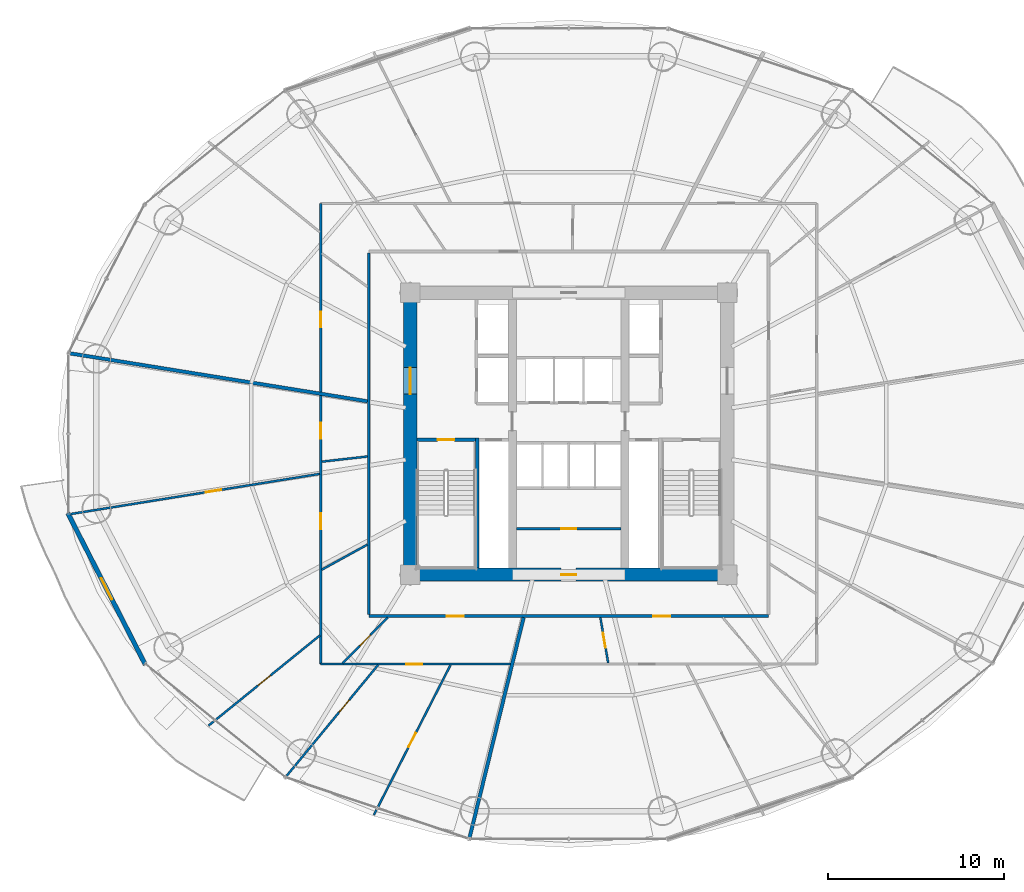
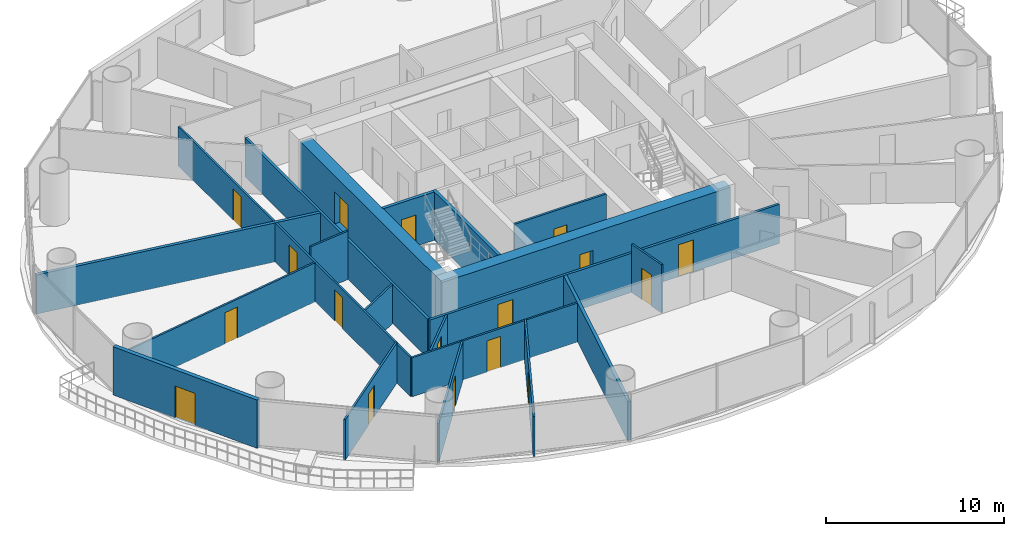
# One storey, part 23 of 30: 21 walls, 17 doors, 17 openings.
"""IFC4 building model written with IfcOpenShell, lengths in metres."""

from ifc_helpers import new_model, si_unit, direction, frame, frame_2d, origin, place, context, subcontext, project, spatial, rectangle, extrude, source, transform, mapped, material, layer, layer_set, type_object, element, fill, save


model = new_model("IFC4")

# Units and contexts
model_context = context("Model", 3, precision=1e-05, world=origin(), true_north=direction((-0.2419218956, 0.970295726276)))
body_context = subcontext(model_context, "Body", "Model", "MODEL_VIEW")
ifc_project = project(units=[si_unit("LENGTHUNIT", "METRE"), si_unit("AREAUNIT", "SQUARE_METRE"), si_unit("VOLUMEUNIT", "CUBIC_METRE"), si_unit("PLANEANGLEUNIT", "RADIAN"), si_unit("MASSUNIT", "GRAM", prefix="KILO")], contexts=[model_context])

# Site, building, storey
site_placement = place(None, origin())
site = spatial("IfcSite", under=ifc_project, at=site_placement, CompositionType="ELEMENT")
building_placement = place(site_placement, origin())
building = spatial("IfcBuilding", under=site, at=building_placement, Name="Cobrevalo Terracotta Tower", CompositionType="ELEMENT")
storey_placement = place(building_placement, frame((0.0, 0.0, 31.199951171875)))
storey = spatial("IfcBuildingStorey", under=building, at=storey_placement, Name="L07", CompositionType="ELEMENT", Elevation=31.199951171875)

# Wall, opening, door
ifc_material_1 = material(Name="Concrete C60", Category="concrete")
ifc_layer_1 = layer(ifc_material_1, 0.75)
ifc_layer_set_1 = layer_set([ifc_layer_1], Name="Concrete C60")
wall_type_1 = type_object("IfcWallType", Name="Core shear wall 750 mm Concrete C60", PredefinedType="SHEAR", material=ifc_layer_set_1)
wall_1_placement = place(storey_placement, frame((28.625, 18.800048828125, 0.0), z_axis=(0.0, 0.0, 1.0), x_axis=(1.0, 0.0, 0.0)))
wall_1 = element("IfcWall", 1, at=wall_1_placement, inside=storey, type_object=wall_type_1, Name="L07 south core shear wall", PredefinedType="SHEAR", context=body_context, shape_type="SweptSolid", body=[
    extrude(rectangle(XDim=18.75, YDim=0.75, at=frame_2d((9.375, 0.0))), origin(), (0.0, 0.0, 1.0), 3.320068359375),
])
opening_1_placement = place(wall_1_placement, frame((8.949951171875, 0.0, 0.0)))
opening_1 = element("IfcOpeningElement", 2, at=opening_1_placement, cuts=wall_1, Name="Opening ID-22", PredefinedType="OPENING", context=body_context, shape_type="SweptSolid", body=[
    extrude(rectangle(XDim=0.85009765625, YDim=2.10009765625, at=frame_2d((0.425048828125, 1.050048828125))), frame((0.0, 0.385009765625, 0.0), z_axis=(0.0, -1.0, 0.0), x_axis=(1.0, 0.0, 0.0)), (0.0, 0.0, 1.0), 0.77001953125),
])
ifc_material_2 = material(Name="Powder-coated steel", Category="steel")
door_type_1 = type_object("IfcDoorType", Name="Riser shaft & meter closet fire access door 850x2100 EI 60", OperationType="NOTDEFINED", PredefinedType="DOOR", material=ifc_material_2)
shared_shape_1 = source(origin(), body_context, "Body", "SweptSolid", [
    extrude(rectangle(XDim=0.85009765625, YDim=2.10009765625, at=frame_2d((0.425048828125, 1.050048828125))), frame((0.0, 0.02490234375, 0.0), z_axis=(0.0, -1.0, 0.0), x_axis=(1.0, 0.0, 0.0)), (0.0, 0.0, 1.0), 0.050048828125),
])
door_1_placement = place(opening_1_placement, origin())
door_1 = element("IfcDoor", 3, at=door_1_placement, inside=storey, type_object=door_type_1, Name="L07 core south plant door Smoke Extract Fan Plant", OperationType="SINGLE_SWING_RIGHT", OverallHeight=2.10009765625, OverallWidth=0.85009765625, PredefinedType="DOOR", context=body_context, shape_type="MappedRepresentation", body=[
    mapped(shared_shape_1, transform((0.0, 0.0, 0.0), scale=1.0)),
])
fill(opening_1, door_1)

wall_2_placement = place(storey_placement, frame((29.0, 19.175048828125, 0.0), z_axis=(0.0, 0.0, 1.0), x_axis=(0.0, 1.0, 0.0)))
wall_2 = element("IfcWall", 4, at=wall_2_placement, inside=storey, type_object=wall_type_1, Name="L07 west core shear wall", PredefinedType="SHEAR", context=body_context, shape_type="SweptSolid", body=[
    extrude(rectangle(XDim=15.25, YDim=0.75, at=frame_2d((7.625, 0.0))), origin(), (0.0, 0.0, 1.0), 3.320068359375),
])
opening_2_placement = place(wall_2_placement, frame((9.875, 0.0, 0.0)))
opening_2 = element("IfcOpeningElement", 5, at=opening_2_placement, cuts=wall_2, Name="Opening ID-14", PredefinedType="OPENING", context=body_context, shape_type="SweptSolid", body=[
    extrude(rectangle(XDim=1.5, YDim=2.199951171875, at=frame_2d((0.75, 1.10009765625))), frame((0.0, 0.385009765625, 0.0), z_axis=(0.0, -1.0, 0.0), x_axis=(1.0, 0.0, 0.0)), (0.0, 0.0, 1.0), 0.77001953125),
])
ifc_material_3 = material(Name="Galvanized fire-rated steel", Category="steel")
door_type_2 = type_object("IfcDoorType", Name="Core cross-lobby double fire door 1500x2200 EI 90", OperationType="NOTDEFINED", PredefinedType="DOOR", material=ifc_material_3)
shared_shape_2 = source(origin(), body_context, "Body", "SweptSolid", [
    extrude(rectangle(XDim=1.5, YDim=2.199951171875, at=frame_2d((0.75, 1.10009765625))), frame((0.0, 0.02490234375, 0.0), z_axis=(0.0, -1.0, 0.0), x_axis=(1.0, 0.0, 0.0)), (0.0, 0.0, 1.0), 0.050048828125),
])
door_2_placement = place(opening_2_placement, origin())
door_2 = element("IfcDoor", 6, at=door_2_placement, inside=storey, type_object=door_type_2, Name="L07 west firefighting lobby entrance door", OperationType="DOUBLE_DOOR_SINGLE_SWING", OverallHeight=2.199951171875, OverallWidth=1.5, PredefinedType="DOOR", context=body_context, shape_type="MappedRepresentation", body=[
    mapped(shared_shape_2, transform((0.0, 0.0, 0.0), scale=1.0)),
])
fill(opening_2, door_2)

# Wall, openings, doors
ifc_material_4 = material(Name="Gypsum board on steel stud", Category="steel")
ifc_layer_2 = layer(ifc_material_4, 0.159912109375)
ifc_layer_set_2 = layer_set([ifc_layer_2], Name="Gypsum board on steel stud")
wall_type_2 = type_object("IfcWallType", Name="Fire-rated corridor acoustic partition wall 160 mm", PredefinedType="PARTITIONING", material=ifc_layer_set_2)
wall_3_placement = place(storey_placement, frame((26.64501953125, 16.445068359375, 0.0), z_axis=(0.0, 0.0, 1.0), x_axis=(1.0, 0.0, 0.0)))
wall_3 = element("IfcWall", 7, at=wall_3_placement, inside=storey, type_object=wall_type_2, Name="L07 interior partition IW-L07-COR-S", PredefinedType="PARTITIONING", context=body_context, shape_type="SweptSolid", body=[
    extrude(rectangle(XDim=22.7099609375, YDim=0.159912109375, at=frame_2d((11.35498046875, 0.0))), origin(), (0.0, 0.0, 1.0), 2.68798828125),
])
opening_3_placement = place(wall_3_placement, frame((4.4208984375, 0.0, 0.0)))
opening_3 = element("IfcOpeningElement", 8, at=opening_3_placement, cuts=wall_3, Name="Opening ID-05", PredefinedType="OPENING", context=body_context, shape_type="SweptSolid", body=[
    extrude(rectangle(XDim=0.97998046875, YDim=2.199951171875, at=frame_2d((0.489990234375, 1.10009765625))), frame((0.0, 0.08984375, 0.0), z_axis=(0.0, -1.0, 0.0), x_axis=(1.0, 0.0, 0.0)), (0.0, 0.0, 1.0), 0.179931640625),
])
opening_4_placement = place(wall_3_placement, frame((16.152587890625, 0.0, 0.0)))
opening_4 = element("IfcOpeningElement", 9, at=opening_4_placement, cuts=wall_3, Name="Opening ID-05", PredefinedType="OPENING", context=body_context, shape_type="SweptSolid", body=[
    extrude(rectangle(XDim=0.97998046875, YDim=2.199951171875, at=frame_2d((0.489990234375, 1.10009765625))), frame((0.0, 0.08984375, 0.0), z_axis=(0.0, -1.0, 0.0), x_axis=(1.0, 0.0, 0.0)), (0.0, 0.0, 1.0), 0.179931640625),
])
ifc_material_5 = material(Name="Solid hardwood timber", Category="wood")
door_type_3 = type_object("IfcDoorType", Name="Residence entrance fire-rated acoustic timber door 980x2200 EI 60", OperationType="NOTDEFINED", PredefinedType="DOOR", material=ifc_material_5)
shared_shape_3 = source(origin(), body_context, "Body", "SweptSolid", [
    extrude(rectangle(XDim=0.97998046875, YDim=2.199951171875, at=frame_2d((0.489990234375, 1.10009765625))), frame((0.0, 0.02490234375, 0.0), z_axis=(0.0, -1.0, 0.0), x_axis=(1.0, 0.0, 0.0)), (0.0, 0.0, 1.0), 0.050048828125),
])
door_3_placement = place(opening_3_placement, frame((0.97998046875, 0.0, 0.0), z_axis=(0.0, 0.0, 1.0), x_axis=(-1.0, 0.0, 0.0)))
door_3 = element("IfcDoor", 10, at=door_3_placement, inside=storey, type_object=door_type_3, Name="Flat L07C fire-rated apartment entrance door", OperationType="SINGLE_SWING_LEFT", OverallHeight=2.199951171875, OverallWidth=0.97998046875, PredefinedType="DOOR", context=body_context, shape_type="MappedRepresentation", body=[
    mapped(shared_shape_3, transform((0.0, 0.0, 0.0), scale=1.0)),
])
fill(opening_3, door_3)
door_4_placement = place(opening_4_placement, frame((0.97998046875, 0.0, 0.0), z_axis=(0.0, 0.0, 1.0), x_axis=(-1.0, 0.0, 0.0)))
door_4 = element("IfcDoor", 11, at=door_4_placement, inside=storey, type_object=door_type_3, Name="Flat L07D fire-rated apartment entrance door", OperationType="SINGLE_SWING_RIGHT", OverallHeight=2.199951171875, OverallWidth=0.97998046875, PredefinedType="DOOR", context=body_context, shape_type="MappedRepresentation", body=[
    mapped(shared_shape_3, transform((0.0, 0.0, 0.0), scale=1.0)),
])
fill(opening_4, door_4)

# Walls
wall_4_placement = place(storey_placement, frame((26.64501953125, 16.52490234375, 0.0), z_axis=(0.0, 0.0, 1.0), x_axis=(0.0, 1.0, 0.0)))
element("IfcWall", 12, at=wall_4_placement, inside=storey, type_object=wall_type_2, Name="L07 interior partition IW-L07-COR-W", PredefinedType="PARTITIONING", context=body_context, shape_type="SweptSolid", body=[
    extrude(rectangle(XDim=20.550048828125, YDim=0.159912109375, at=frame_2d((10.27490234375, 0.0))), origin(), (0.0, 0.0, 1.0), 2.68798828125),
])
ifc_material_6 = material(Name="Autoclaved aerated concrete block", Category="concrete")
ifc_layer_3 = layer(ifc_material_6, 0.199951171875)
ifc_layer_set_3 = layer_set([ifc_layer_3], Name="Autoclaved aerated concrete block")
wall_type_3 = type_object("IfcWallType", Name="Fire-rated stair, shaft & demising masonry wall 200 mm", PredefinedType="PARTITIONING", material=ifc_layer_set_3)
wall_5_placement = place(storey_placement, frame((26.56494140625, 28.64306640625, 0.0), z_axis=(0.0, 0.0, 1.0), x_axis=(-0.987255953651, 0.159140447344, 0.0)))
element("IfcWall", 13, at=wall_5_placement, inside=storey, type_object=wall_type_3, Name="L07 interior partition IW-L07-DEM-3", PredefinedType="PARTITIONING", context=body_context, shape_type="SweptSolid", body=[
    extrude(rectangle(XDim=17.10546875, YDim=0.199951171875, at=frame_2d((8.552734375, 0.0))), origin(), (0.0, 0.0, 1.0), 2.68798828125),
])
wall_6_placement = place(storey_placement, frame((35.4384765625, 16.364990234375, 0.0), z_axis=(0.0, 0.0, 1.0), x_axis=(-0.238380116209, -0.971171931326, 0.0)))
element("IfcWall", 14, at=wall_6_placement, inside=storey, type_object=wall_type_3, Name="L07 interior partition IW-L07-DEM-4", PredefinedType="PARTITIONING", context=body_context, shape_type="SweptSolid", body=[
    extrude(rectangle(XDim=12.876708984375, YDim=0.199951171875, at=frame_2d((6.4384765625, 0.0))), origin(), (0.0, 0.0, 1.0), 2.68798828125),
])

# Wall, opening, door
ifc_layer_4 = layer(ifc_material_6, 0.139892578125)
ifc_layer_set_4 = layer_set([ifc_layer_4], Name="Autoclaved aerated concrete block")
wall_type_4 = type_object("IfcWallType", Name="Moisture-resistant wet-room & core service partition 140 mm", PredefinedType="PARTITIONING", material=ifc_layer_set_4)
wall_7_placement = place(storey_placement, frame((35.02490234375, 21.407470703125, 0.0), z_axis=(0.0, 0.0, 1.0), x_axis=(1.0, 0.0, 0.0)))
wall_7 = element("IfcWall", 15, at=wall_7_placement, inside=storey, type_object=wall_type_4, Name="L07 interior partition IW-L07-KVS-H", PredefinedType="PARTITIONING", context=body_context, shape_type="SweptSolid", body=[
    extrude(rectangle(XDim=5.9501953125, YDim=0.139892578125, at=frame_2d((2.97509765625, 0.0))), origin(), (0.0, 0.0, 1.0), 3.320068359375),
])
opening_5_placement = place(wall_7_placement, frame((2.550048828125, 0.0, 0.0)))
opening_5 = element("IfcOpeningElement", 16, at=opening_5_placement, cuts=wall_7, Name="Opening ID-22", PredefinedType="OPENING", context=body_context, shape_type="SweptSolid", body=[
    extrude(rectangle(XDim=0.85009765625, YDim=2.10009765625, at=frame_2d((0.425048828125, 1.050048828125))), frame((0.0, 0.080078125, 0.0), z_axis=(0.0, -1.0, 0.0), x_axis=(1.0, 0.0, 0.0)), (0.0, 0.0, 1.0), 0.159912109375),
])
door_5_placement = place(opening_5_placement, origin())
door_5 = element("IfcDoor", 17, at=door_5_placement, inside=storey, type_object=door_type_1, Name="L07 core manifold inner door", OperationType="SINGLE_SWING_LEFT", OverallHeight=2.10009765625, OverallWidth=0.85009765625, PredefinedType="DOOR", context=body_context, shape_type="MappedRepresentation", body=[
    mapped(shared_shape_1, transform((0.0, 0.0, 0.0), scale=1.0)),
])
fill(opening_5, door_5)

ifc_layer_5 = layer(ifc_material_6, 0.260009765625)
ifc_layer_set_5 = layer_set([ifc_layer_5], Name="Autoclaved aerated concrete block")
wall_type_5 = type_object("IfcWallType", Name="Recessed balcony loggia insulated exterior wall 260 mm", PredefinedType="SOLIDWALL", material=ifc_layer_set_5)
wall_8_placement = place(storey_placement, frame((9.55029296875, 22.29248046875, 0.0), z_axis=(0.0, 0.0, 1.0), x_axis=(0.455220575541, -0.890378698984, 0.0)))
wall_8 = element("IfcWall", 18, at=wall_8_placement, inside=storey, type_object=wall_type_5, Name="L07 balcony loggia wall S09", PredefinedType="SOLIDWALL", context=body_context, shape_type="SweptSolid", body=[
    extrude(rectangle(XDim=9.662109375, YDim=0.260009765625, at=frame_2d((4.8310546875, 0.0))), origin(), (0.0, 0.0, 1.0), 3.320068359375),
])
opening_6_placement = place(wall_8_placement, frame((4.156005859375, 0.0, 0.0)))
opening_6 = element("IfcOpeningElement", 19, at=opening_6_placement, cuts=wall_8, Name="Opening ED-05", PredefinedType="OPENING", context=body_context, shape_type="SweptSolid", body=[
    extrude(rectangle(XDim=1.35009765625, YDim=2.199951171875, at=frame_2d((0.675048828125, 1.10009765625))), frame((0.0, 0.14013671875, 0.0), z_axis=(0.0, -1.0, 0.0), x_axis=(1.0, 0.0, 0.0)), (0.0, 0.0, 1.0), 0.280029296875),
])
ifc_material_7 = material(Name="Anodized aluminium and laminated glass", Category="aluminium")
door_type_4 = type_object("IfcDoorType", Name="Suite balcony acoustic glazed terrace door 1350x2200", OperationType="NOTDEFINED", PredefinedType="DOOR", material=ifc_material_7)
shared_shape_4 = source(origin(), body_context, "Body", "SweptSolid", [
    extrude(rectangle(XDim=1.35009765625, YDim=2.199951171875, at=frame_2d((0.675048828125, 1.10009765625))), frame((0.0, 0.02490234375, 0.0), z_axis=(0.0, -1.0, 0.0), x_axis=(1.0, 0.0, 0.0)), (0.0, 0.0, 1.0), 0.050048828125),
])
door_6_placement = place(opening_6_placement, frame((1.35009765625, 0.0, 0.0), z_axis=(0.0, 0.0, 1.0), x_axis=(-1.0, 0.0, 0.0)))
door_6 = element("IfcDoor", 20, at=door_6_placement, inside=storey, type_object=door_type_4, Name="L07 glazed balcony terrace door 2", OperationType="SINGLE_SWING_RIGHT", OverallHeight=2.199951171875, OverallWidth=1.35009765625, PredefinedType="DOOR", context=body_context, shape_type="MappedRepresentation", body=[
    mapped(shared_shape_4, transform((0.0, 0.0, 0.0), scale=1.0)),
])
fill(opening_6, door_6)

ifc_layer_6 = layer(ifc_material_4, 0.1201171875)
ifc_layer_set_6 = layer_set([ifc_layer_6], Name="Gypsum board on steel stud")
wall_type_6 = type_object("IfcWallType", Name="Residential internal acoustic stud partition 120 mm", PredefinedType="PARTITIONING", material=ifc_layer_set_6)
wall_9_placement = place(storey_placement, frame((23.9150390625, 29.17236328125, 0.0), z_axis=(0.0, 0.0, 1.0), x_axis=(0.0, 1.0, 0.0)))
wall_9 = element("IfcWall", 21, at=wall_9_placement, inside=storey, type_object=wall_type_6, Name="L07 interior partition IW-L07-U2-RING0_0", PredefinedType="PARTITIONING", context=body_context, shape_type="SweptSolid", body=[
    extrude(rectangle(XDim=10.712646484375, YDim=0.1201171875, at=frame_2d((5.3564453125, 0.0))), origin(), (0.0, 0.0, 1.0), 2.68798828125),
])
opening_7_placement = place(wall_9_placement, frame((3.666259765625, 0.0, 0.0)))
opening_7 = element("IfcOpeningElement", 22, at=opening_7_placement, cuts=wall_9, Name="Opening ID-12", PredefinedType="OPENING", context=body_context, shape_type="SweptSolid", body=[
    extrude(rectangle(XDim=0.89990234375, YDim=2.14990234375, at=frame_2d((0.449951171875, 1.074951171875))), frame((0.0, 0.070068359375, 0.0), z_axis=(0.0, -1.0, 0.0), x_axis=(1.0, 0.0, 0.0)), (0.0, 0.0, 1.0), 0.14013671875),
])
ifc_material_8 = material(Name="Engineered timber", Category="wood")
door_type_5 = type_object("IfcDoorType", Name="Internal residence & suite timber door 900x2150", OperationType="NOTDEFINED", PredefinedType="DOOR", material=ifc_material_8)
shared_shape_5 = source(origin(), body_context, "Body", "SweptSolid", [
    extrude(rectangle(XDim=0.89990234375, YDim=2.14990234375, at=frame_2d((0.449951171875, 1.074951171875))), frame((0.0, 0.02490234375, 0.0), z_axis=(0.0, -1.0, 0.0), x_axis=(1.0, 0.0, 0.0)), (0.0, 0.0, 1.0), 0.050048828125),
])
door_7_placement = place(opening_7_placement, origin())
door_7 = element("IfcDoor", 23, at=door_7_placement, inside=storey, type_object=door_type_5, Name="Flat L07B Penthouse Family Lounge internal door", OperationType="SINGLE_SWING_RIGHT", OverallHeight=2.14990234375, OverallWidth=0.89990234375, PredefinedType="DOOR", context=body_context, shape_type="MappedRepresentation", body=[
    mapped(shared_shape_5, transform((0.0, 0.0, 0.0), scale=1.0)),
])
fill(opening_7, door_7)

wall_10_placement = place(storey_placement, frame((34.68603515625, 13.715087890625, 0.0), z_axis=(0.0, 0.0, 1.0), x_axis=(-1.0, 0.0, 0.0)))
wall_10 = element("IfcWall", 24, at=wall_10_placement, inside=storey, type_object=wall_type_6, Name="L07 interior partition IW-L07-U3-RING0_0", PredefinedType="PARTITIONING", context=body_context, shape_type="SweptSolid", body=[
    extrude(rectangle(XDim=10.77099609375, YDim=0.1201171875, at=frame_2d((5.385498046875, 0.0))), origin(), (0.0, 0.0, 1.0), 2.68798828125),
])
opening_8_placement = place(wall_10_placement, frame((5.010498046875, 0.0, 0.0)))
opening_8 = element("IfcOpeningElement", 25, at=opening_8_placement, cuts=wall_10, Name="Opening ID-12", PredefinedType="OPENING", context=body_context, shape_type="SweptSolid", body=[
    extrude(rectangle(XDim=0.89990234375, YDim=2.14990234375, at=frame_2d((0.449951171875, 1.074951171875))), frame((0.0, 0.070068359375, 0.0), z_axis=(0.0, -1.0, 0.0), x_axis=(1.0, 0.0, 0.0)), (0.0, 0.0, 1.0), 0.14013671875),
])
door_8_placement = place(opening_8_placement, origin())
door_8 = element("IfcDoor", 26, at=door_8_placement, inside=storey, type_object=door_type_5, Name="Flat L07C Penthouse Family Lounge internal door", OperationType="SINGLE_SWING_LEFT", OverallHeight=2.14990234375, OverallWidth=0.89990234375, PredefinedType="DOOR", context=body_context, shape_type="MappedRepresentation", body=[
    mapped(shared_shape_5, transform((0.0, 0.0, 0.0), scale=1.0)),
])
fill(opening_8, door_8)

# Wall, openings, doors
wall_11_placement = place(storey_placement, frame((23.9150390625, 13.715087890625, 0.0), z_axis=(0.0, 0.0, 1.0), x_axis=(0.0, 1.0, 0.0)))
wall_11 = element("IfcWall", 27, at=wall_11_placement, inside=storey, type_object=wall_type_6, Name="L07 interior partition IW-L07-U3-RING1_0", PredefinedType="PARTITIONING", context=body_context, shape_type="SweptSolid", body=[
    extrude(rectangle(XDim=15.253173828125, YDim=0.1201171875, at=frame_2d((7.62646484375, 0.0))), origin(), (0.0, 0.0, 1.0), 2.68798828125),
])
opening_9_placement = place(wall_11_placement, frame((7.66259765625, 0.0, 0.0)))
opening_9 = element("IfcOpeningElement", 28, at=opening_9_placement, cuts=wall_11, Name="Opening ID-12", PredefinedType="OPENING", context=body_context, shape_type="SweptSolid", body=[
    extrude(rectangle(XDim=0.89990234375, YDim=2.14990234375, at=frame_2d((0.449951171875, 1.074951171875))), frame((0.0, 0.070068359375, 0.0), z_axis=(0.0, -1.0, 0.0), x_axis=(1.0, 0.0, 0.0)), (0.0, 0.0, 1.0), 0.14013671875),
])
opening_10_placement = place(wall_11_placement, frame((12.80322265625, 0.0, 0.0)))
opening_10 = element("IfcOpeningElement", 29, at=opening_10_placement, cuts=wall_11, Name="Opening ID-12", PredefinedType="OPENING", context=body_context, shape_type="SweptSolid", body=[
    extrude(rectangle(XDim=0.89990234375, YDim=2.14990234375, at=frame_2d((0.449951171875, 1.074951171875))), frame((0.0, 0.070068359375, 0.0), z_axis=(0.0, -1.0, 0.0), x_axis=(1.0, 0.0, 0.0)), (0.0, 0.0, 1.0), 0.14013671875),
])
door_9_placement = place(opening_9_placement, frame((0.89990234375, 0.0, 0.0), z_axis=(0.0, 0.0, 1.0), x_axis=(-1.0, 0.0, 0.0)))
door_9 = element("IfcDoor", 30, at=door_9_placement, inside=storey, type_object=door_type_5, Name="Flat L07C Kitchen internal door", OperationType="SINGLE_SWING_RIGHT", OverallHeight=2.14990234375, OverallWidth=0.89990234375, PredefinedType="DOOR", context=body_context, shape_type="MappedRepresentation", body=[
    mapped(shared_shape_5, transform((0.0, 0.0, 0.0), scale=1.0)),
])
fill(opening_9, door_9)
door_10_placement = place(opening_10_placement, frame((0.89990234375, 0.0, 0.0), z_axis=(0.0, 0.0, 1.0), x_axis=(-1.0, 0.0, 0.0)))
door_10 = element("IfcDoor", 31, at=door_10_placement, inside=storey, type_object=door_type_5, Name="Flat L07C Home Office Study internal door", OperationType="SINGLE_SWING_LEFT", OverallHeight=2.14990234375, OverallWidth=0.89990234375, PredefinedType="DOOR", context=body_context, shape_type="MappedRepresentation", body=[
    mapped(shared_shape_5, transform((0.0, 0.0, 0.0), scale=1.0)),
])
fill(opening_10, door_10)

# Wall, opening, door
wall_12_placement = place(storey_placement, frame((23.853759765625, 24.519775390625, 0.0), z_axis=(0.0, 0.0, 1.0), x_axis=(-0.987258444847, -0.159124991997, 0.0)))
wall_12 = element("IfcWall", 32, at=wall_12_placement, inside=storey, type_object=wall_type_6, Name="L07 interior partition IW-L07-U3-ORAD0L", PredefinedType="PARTITIONING", context=body_context, shape_type="SweptSolid", body=[
    extrude(rectangle(XDim=14.359130859375, YDim=0.1201171875, at=frame_2d((7.1796875, 0.0))), origin(), (0.0, 0.0, 1.0), 2.68798828125),
])
opening_11_placement = place(wall_12_placement, frame((5.658935546875, 0.0, 0.0)))
opening_11 = element("IfcOpeningElement", 33, at=opening_11_placement, cuts=wall_12, Name="Opening ID-12", PredefinedType="OPENING", context=body_context, shape_type="SweptSolid", body=[
    extrude(rectangle(XDim=0.89990234375, YDim=2.14990234375, at=frame_2d((0.449951171875, 1.074951171875))), frame((0.0, 0.070068359375, 0.0), z_axis=(0.0, -1.0, 0.0), x_axis=(1.0, 0.0, 0.0)), (0.0, 0.0, 1.0), 0.14013671875),
])
door_11_placement = place(opening_11_placement, frame((0.89990234375, 0.0, 0.0), z_axis=(0.0, 0.0, 1.0), x_axis=(-1.0, 0.0, 0.0)))
door_11 = element("IfcDoor", 34, at=door_11_placement, inside=storey, type_object=door_type_5, Name="Flat L07C Penthouse Living and Dining Room internal door", OperationType="SINGLE_SWING_LEFT", OverallHeight=2.14990234375, OverallWidth=0.89990234375, PredefinedType="DOOR", context=body_context, shape_type="MappedRepresentation", body=[
    mapped(shared_shape_5, transform((0.0, 0.0, 0.0), scale=1.0)),
])
fill(opening_11, door_11)

wall_13_placement = place(storey_placement, frame((23.866943359375, 15.34716796875, 0.0), z_axis=(0.0, 0.0, 1.0), x_axis=(-0.776936623447, -0.629578814087, 0.0)))
wall_13 = element("IfcWall", 35, at=wall_13_placement, inside=storey, type_object=wall_type_6, Name="L07 interior partition IW-L07-U3-ORAD1", PredefinedType="PARTITIONING", context=body_context, shape_type="SweptSolid", body=[
    extrude(rectangle(XDim=8.136474609375, YDim=0.1201171875, at=frame_2d((4.068359375, 0.0))), origin(), (0.0, 0.0, 1.0), 2.761962890625),
])
opening_12_placement = place(wall_13_placement, frame((3.618408203125, 0.0, 0.0)))
opening_12 = element("IfcOpeningElement", 36, at=opening_12_placement, cuts=wall_13, Name="Opening ID-12", PredefinedType="OPENING", context=body_context, shape_type="SweptSolid", body=[
    extrude(rectangle(XDim=0.89990234375, YDim=2.14990234375, at=frame_2d((0.449951171875, 1.074951171875))), frame((0.0, 0.070068359375, 0.0), z_axis=(0.0, -1.0, 0.0), x_axis=(1.0, 0.0, 0.0)), (0.0, 0.0, 1.0), 0.14013671875),
])
door_12_placement = place(opening_12_placement, frame((0.89990234375, 0.0, 0.0), z_axis=(0.0, 0.0, 1.0), x_axis=(-1.0, 0.0, 0.0)))
door_12 = element("IfcDoor", 37, at=door_12_placement, inside=storey, type_object=door_type_5, Name="Flat L07C Private Cinema Room internal door", OperationType="SINGLE_SWING_RIGHT", OverallHeight=2.14990234375, OverallWidth=0.89990234375, PredefinedType="DOOR", context=body_context, shape_type="MappedRepresentation", body=[
    mapped(shared_shape_5, transform((0.0, 0.0, 0.0), scale=1.0)),
])
fill(opening_12, door_12)

wall_14_placement = place(storey_placement, frame((27.171142578125, 13.667236328125, 0.0), z_axis=(0.0, 0.0, 1.0), x_axis=(-0.636177533893, -0.771542704826, 0.0)))
wall_14 = element("IfcWall", 38, at=wall_14_placement, inside=storey, type_object=wall_type_6, Name="L07 interior partition IW-L07-U3-ORAD2M1", PredefinedType="PARTITIONING", context=body_context, shape_type="SweptSolid", body=[
    extrude(rectangle(XDim=8.1865234375, YDim=0.1201171875, at=frame_2d((4.09326171875, 0.0))), origin(), (0.0, 0.0, 1.0), 2.68798828125),
])
opening_13_placement = place(wall_14_placement, frame((2.579345703125, 0.0, 0.0)))
opening_13 = element("IfcOpeningElement", 39, at=opening_13_placement, cuts=wall_14, Name="Opening ID-12", PredefinedType="OPENING", context=body_context, shape_type="SweptSolid", body=[
    extrude(rectangle(XDim=0.89990234375, YDim=2.14990234375, at=frame_2d((0.449951171875, 1.074951171875))), frame((0.0, 0.070068359375, 0.0), z_axis=(0.0, -1.0, 0.0), x_axis=(1.0, 0.0, 0.0)), (0.0, 0.0, 1.0), 0.14013671875),
])
door_13_placement = place(opening_13_placement, frame((0.89990234375, 0.0, 0.0), z_axis=(0.0, 0.0, 1.0), x_axis=(-1.0, 0.0, 0.0)))
door_13 = element("IfcDoor", 40, at=door_13_placement, inside=storey, type_object=door_type_5, Name="Flat L07C Master Bedroom internal door", OperationType="SINGLE_SWING_LEFT", OverallHeight=2.14990234375, OverallWidth=0.89990234375, PredefinedType="DOOR", context=body_context, shape_type="MappedRepresentation", body=[
    mapped(shared_shape_5, transform((0.0, 0.0, 0.0), scale=1.0)),
])
fill(opening_13, door_13)

wall_15_placement = place(storey_placement, frame((31.283203125, 13.65966796875, 0.0), z_axis=(0.0, 0.0, 1.0), x_axis=(-0.455131303234, -0.890424335256, 0.0)))
wall_15 = element("IfcWall", 41, at=wall_15_placement, inside=storey, type_object=wall_type_6, Name="L07 interior partition IW-L07-U3-ORAD2M2", PredefinedType="PARTITIONING", context=body_context, shape_type="SweptSolid", body=[
    extrude(rectangle(XDim=9.562255859375, YDim=0.1201171875, at=frame_2d((4.78125, 0.0))), origin(), (0.0, 0.0, 1.0), 2.761962890625),
])
opening_14_placement = place(wall_15_placement, frame((4.3310546875, 0.0, 0.0)))
opening_14 = element("IfcOpeningElement", 42, at=opening_14_placement, cuts=wall_15, Name="Opening ID-12", PredefinedType="OPENING", context=body_context, shape_type="SweptSolid", body=[
    extrude(rectangle(XDim=0.89990234375, YDim=2.14990234375, at=frame_2d((0.449951171875, 1.074951171875))), frame((0.0, 0.070068359375, 0.0), z_axis=(0.0, -1.0, 0.0), x_axis=(1.0, 0.0, 0.0)), (0.0, 0.0, 1.0), 0.14013671875),
])
door_14_placement = place(opening_14_placement, origin())
door_14 = element("IfcDoor", 43, at=door_14_placement, inside=storey, type_object=door_type_5, Name="Flat L07C Penthouse Family Lounge internal door", OperationType="SINGLE_SWING_RIGHT", OverallHeight=2.14990234375, OverallWidth=0.89990234375, PredefinedType="DOOR", context=body_context, shape_type="MappedRepresentation", body=[
    mapped(shared_shape_5, transform((0.0, 0.0, 0.0), scale=1.0)),
])
fill(opening_14, door_14)

# Walls
wall_16_placement = place(storey_placement, frame((26.56494140625, 25.50732421875, 0.0), z_axis=(0.0, 0.0, 1.0), x_axis=(-0.993676271227, -0.112282981789, 0.0)))
element("IfcWall", 44, at=wall_16_placement, inside=storey, type_object=wall_type_6, Name="L07 interior partition IW-L07-U3-IRAD1", PredefinedType="PARTITIONING", context=body_context, shape_type="SweptSolid", body=[
    extrude(rectangle(XDim=2.604736328125, YDim=0.1201171875, at=frame_2d((1.30224609375, 0.0))), origin(), (0.0, 0.0, 1.0), 3.320068359375),
])
wall_17_placement = place(storey_placement, frame((26.56494140625, 20.504638671875, 0.0), z_axis=(0.0, 0.0, 1.0), x_axis=(-0.876027961584, -0.482260314066, 0.0)))
element("IfcWall", 45, at=wall_17_placement, inside=storey, type_object=wall_type_6, Name="L07 interior partition IW-L07-U3-IRAD2", PredefinedType="PARTITIONING", context=body_context, shape_type="SweptSolid", body=[
    extrude(rectangle(XDim=2.963134765625, YDim=0.1201171875, at=frame_2d((1.4814453125, 0.0))), origin(), (0.0, 0.0, 1.0), 2.68798828125),
])

# Wall, opening, door
wall_18_placement = place(storey_placement, frame((27.71923828125, 16.364990234375, 0.0), z_axis=(0.0, 0.0, 1.0), x_axis=(-0.701848204267, -0.712326539002, 0.0)))
wall_18 = element("IfcWall", 46, at=wall_18_placement, inside=storey, type_object=wall_type_6, Name="L07 interior partition IW-L07-U3-IRAD3", PredefinedType="PARTITIONING", context=body_context, shape_type="SweptSolid", body=[
    extrude(rectangle(XDim=3.657958984375, YDim=0.1201171875, at=frame_2d((1.8291015625, 0.0))), origin(), (0.0, 0.0, 1.0), 2.68798828125),
])
opening_15_placement = place(wall_18_placement, frame((1.39892578125, 0.0, 0.0)))
opening_15 = element("IfcOpeningElement", 47, at=opening_15_placement, cuts=wall_18, Name="Opening ID-19", PredefinedType="OPENING", context=body_context, shape_type="SweptSolid", body=[
    extrude(rectangle(XDim=0.860107421875, YDim=2.14990234375, at=frame_2d((0.43017578125, 1.074951171875))), frame((0.0, 0.070068359375, 0.0), z_axis=(0.0, -1.0, 0.0), x_axis=(1.0, 0.0, 0.0)), (0.0, 0.0, 1.0), 0.14013671875),
])
ifc_material_9 = material(Name="Moisture-sealed timber", Category="wood")
door_type_6 = type_object("IfcDoorType", Name="Suite bathroom internal timber door 860x2150", OperationType="NOTDEFINED", PredefinedType="DOOR", material=ifc_material_9)
shared_shape_6 = source(origin(), body_context, "Body", "SweptSolid", [
    extrude(rectangle(XDim=0.860107421875, YDim=2.14990234375, at=frame_2d((0.43017578125, 1.074951171875))), frame((0.0, 0.02490234375, 0.0), z_axis=(0.0, -1.0, 0.0), x_axis=(1.0, 0.0, 0.0)), (0.0, 0.0, 1.0), 0.050048828125),
])
door_15_placement = place(opening_15_placement, frame((0.860107421875, 0.0, 0.0), z_axis=(0.0, 0.0, 1.0), x_axis=(-1.0, 0.0, 0.0)))
door_15 = element("IfcDoor", 48, at=door_15_placement, inside=storey, type_object=door_type_6, Name="Flat L07C Primary Bathroom internal door", OperationType="SINGLE_SWING_RIGHT", OverallHeight=2.14990234375, OverallWidth=0.860107421875, PredefinedType="DOOR", context=body_context, shape_type="MappedRepresentation", body=[
    mapped(shared_shape_6, transform((0.0, 0.0, 0.0), scale=1.0)),
])
fill(opening_15, door_15)

wall_19_placement = place(storey_placement, frame((39.79638671875, 16.364990234375, 0.0), z_axis=(0.0, 0.0, 1.0), x_axis=(0.169611246875, -0.985511047596, 0.0)))
wall_19 = element("IfcWall", 49, at=wall_19_placement, inside=storey, type_object=wall_type_6, Name="L07 interior partition IW-L07-U4-IRAD1", PredefinedType="PARTITIONING", context=body_context, shape_type="SweptSolid", body=[
    extrude(rectangle(XDim=2.626953125, YDim=0.1201171875, at=frame_2d((1.3134765625, 0.0))), origin(), (0.0, 0.0, 1.0), 3.320068359375),
])
opening_16_placement = place(wall_19_placement, frame((0.883544921875, 0.0, 0.0)))
opening_16 = element("IfcOpeningElement", 50, at=opening_16_placement, cuts=wall_19, Name="Opening ID-19", PredefinedType="OPENING", context=body_context, shape_type="SweptSolid", body=[
    extrude(rectangle(XDim=0.860107421875, YDim=2.14990234375, at=frame_2d((0.43017578125, 1.074951171875))), frame((0.0, 0.070068359375, 0.0), z_axis=(0.0, -1.0, 0.0), x_axis=(1.0, 0.0, 0.0)), (0.0, 0.0, 1.0), 0.14013671875),
])
door_16_placement = place(opening_16_placement, frame((0.860107421875, 0.0, 0.0), z_axis=(0.0, 0.0, 1.0), x_axis=(-1.0, 0.0, 0.0)))
door_16 = element("IfcDoor", 51, at=door_16_placement, inside=storey, type_object=door_type_6, Name="Flat L07D Primary Bathroom internal door", OperationType="SINGLE_SWING_LEFT", OverallHeight=2.14990234375, OverallWidth=0.860107421875, PredefinedType="DOOR", context=body_context, shape_type="MappedRepresentation", body=[
    mapped(shared_shape_6, transform((0.0, 0.0, 0.0), scale=1.0)),
])
fill(opening_16, door_16)

# Wall
ifc_material_10 = material(Name="Concrete C50", Category="concrete")
ifc_layer_7 = layer(ifc_material_10, 0.199951171875)
ifc_layer_set_7 = layer_set([ifc_layer_7], Name="Concrete C50")
wall_type_7 = type_object("IfcWallType", Name="Structural core & podium stair-shaft RC wall 200 mm Concrete C50", PredefinedType="SOLIDWALL", material=ifc_layer_set_7)
wall_20_placement = place(storey_placement, frame((32.794921875, 19.175048828125, 0.0), z_axis=(0.0, 0.0, 1.0), x_axis=(0.0, 1.0, 0.0)))
element("IfcWall", 52, at=wall_20_placement, inside=storey, type_object=wall_type_7, Name="L07 ST-1 east structural shaft wall", PredefinedType="SOLIDWALL", context=body_context, shape_type="SweptSolid", body=[
    extrude(rectangle(XDim=7.375, YDim=0.199951171875, at=frame_2d((3.6875, 0.0))), origin(), (0.0, 0.0, 1.0), 3.320068359375),
])

# Wall, opening, door
wall_21_placement = place(storey_placement, frame((29.375, 26.449951171875, 0.0), z_axis=(0.0, 0.0, 1.0), x_axis=(1.0, 0.0, 0.0)))
wall_21 = element("IfcWall", 53, at=wall_21_placement, inside=storey, type_object=wall_type_7, Name="L07 ST-1 north structural shaft wall", PredefinedType="SOLIDWALL", context=body_context, shape_type="SweptSolid", body=[
    extrude(rectangle(XDim=3.320068359375, YDim=0.199951171875, at=frame_2d((1.66015625, 0.0))), origin(), (0.0, 0.0, 1.0), 3.320068359375),
])
opening_17_placement = place(wall_21_placement, frame((1.18505859375, 0.0, 0.0)))
opening_17 = element("IfcOpeningElement", 54, at=opening_17_placement, cuts=wall_21, Name="Opening ID-04", PredefinedType="OPENING", context=body_context, shape_type="SweptSolid", body=[
    extrude(rectangle(XDim=0.949951171875, YDim=2.14990234375, at=frame_2d((0.47509765625, 1.074951171875))), frame((0.0, 0.10986328125, 0.0), z_axis=(0.0, -1.0, 0.0), x_axis=(1.0, 0.0, 0.0)), (0.0, 0.0, 1.0), 0.219970703125),
])
door_type_7 = type_object("IfcDoorType", Name="Stair & firefighting lobby fire door 950x2150 EI 90", OperationType="NOTDEFINED", PredefinedType="DOOR", material=ifc_material_3)
shared_shape_7 = source(origin(), body_context, "Body", "SweptSolid", [
    extrude(rectangle(XDim=0.949951171875, YDim=2.14990234375, at=frame_2d((0.47509765625, 1.074951171875))), frame((0.0, 0.02490234375, 0.0), z_axis=(0.0, -1.0, 0.0), x_axis=(1.0, 0.0, 0.0)), (0.0, 0.0, 1.0), 0.050048828125),
])
door_17_placement = place(opening_17_placement, origin())
door_17 = element("IfcDoor", 55, at=door_17_placement, inside=storey, type_object=door_type_7, Name="L07 protected stair ST1 fire door", OperationType="SINGLE_SWING_LEFT", OverallHeight=2.14990234375, OverallWidth=0.949951171875, PredefinedType="DOOR", context=body_context, shape_type="MappedRepresentation", body=[
    mapped(shared_shape_7, transform((0.0, 0.0, 0.0), scale=1.0)),
])
fill(opening_17, door_17)

save(model, "model.ifc")
